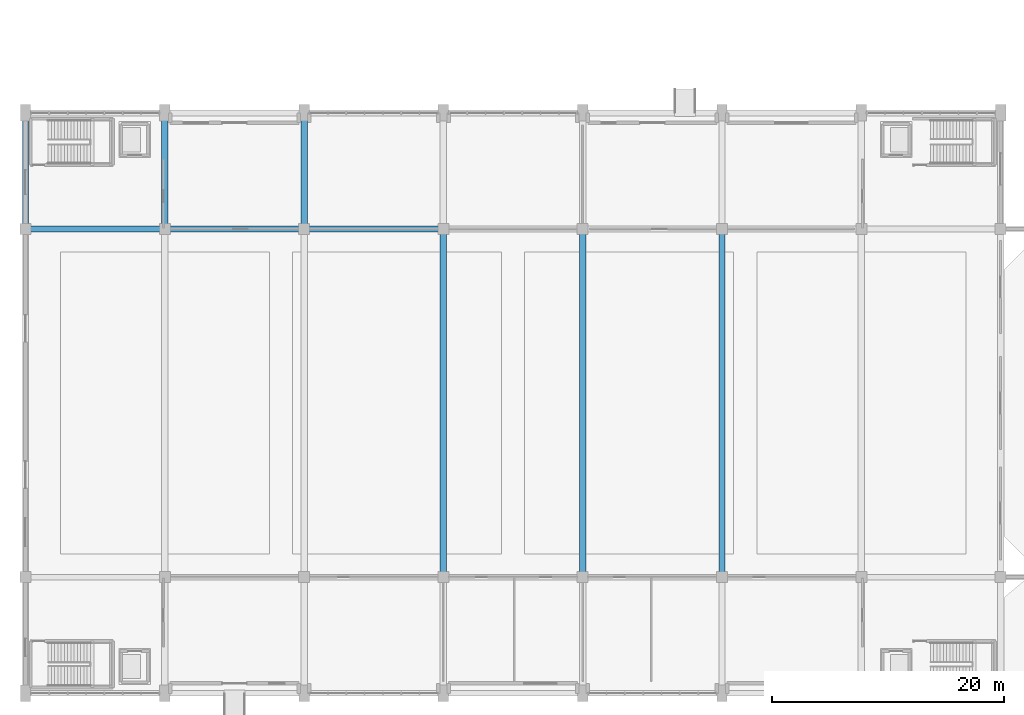
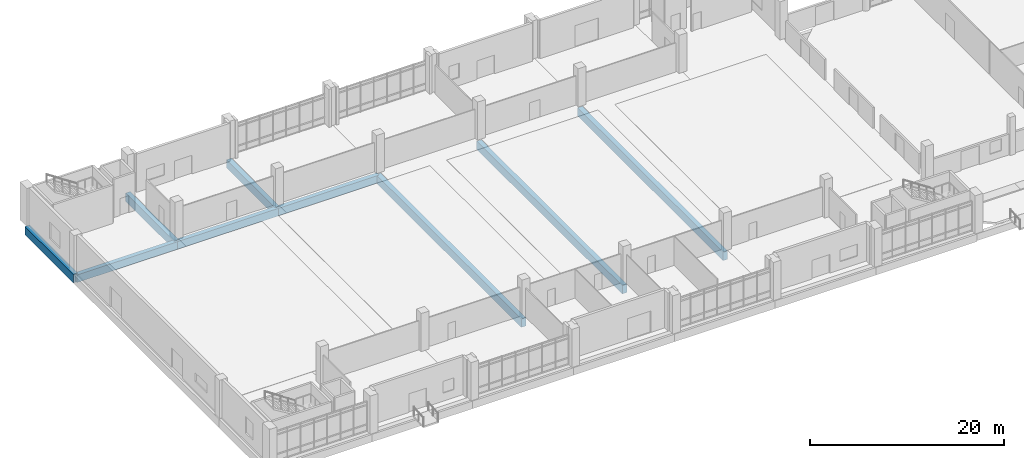
# One storey, part 13 of 87: 9 beams.
"""IFC4 building model written with IfcOpenShell, lengths in metres."""

from ifc_helpers import new_model, si_unit, direction, frame, origin, origin_2d, place, context, subcontext, project, spatial, rectangle, extrude, material, material_profile, profile_set, type_object, element, save


model = new_model("IFC4")

# Units and contexts
model_context = context("Model", 3, precision=1e-05, world=origin(), true_north=direction((0.0, 1.0)))
body_context = subcontext(model_context, "Body", "Model", "MODEL_VIEW")
ifc_project = project(units=[si_unit("LENGTHUNIT", "METRE"), si_unit("AREAUNIT", "SQUARE_METRE"), si_unit("VOLUMEUNIT", "CUBIC_METRE"), si_unit("PLANEANGLEUNIT", "RADIAN"), si_unit("MASSUNIT", "GRAM", prefix="KILO")], contexts=[model_context])

# Site, building, storey
site_placement = place(None, origin())
site = spatial("IfcSite", under=ifc_project, at=site_placement, CompositionType="ELEMENT")
building_placement = place(site_placement, origin())
building = spatial("IfcBuilding", under=site, at=building_placement, Name="Mersad Railyard Sports Hall", CompositionType="ELEMENT")
storey_placement = place(building_placement, origin())
storey = spatial("IfcBuildingStorey", under=building, at=storey_placement, Name="L00", CompositionType="ELEMENT", Elevation=0.0)

# Beams
ifc_material = material(Name="Concrete C50/60", Category="concrete")
ifc_material_profile_1 = material_profile(ifc_material, rectangle(XDim=0.5, YDim=0.949951171875, at=origin_2d()), Name="RC 500x950")
ifc_profile_set_1 = profile_set([ifc_material_profile_1], Name="Concrete C50/60")
beam_type_1 = type_object("IfcBeamType", Name="STR-BM-B03", PredefinedType="BEAM", material=ifc_profile_set_1)
for number, where, z_axis, x_axis, name in (
    (1, (7.0, 43.5, -0.925048828125), (1.0, 0.0, 0.0), (0.0, 1.0, 0.0), "Beam B03-0015"),
    (2, (19.0, 43.5, -0.925048828125), (1.0, 0.0, 0.0), (0.0, 1.0, 0.0), "Beam B03-0016"),
    (3, (31.0, 43.5, -0.925048828125), (1.0, 0.0, 0.0), (0.0, 1.0, 0.0), "Beam B03-0017"),
):
    element("IfcBeam", number, at=place(storey_placement, frame(where, z_axis=z_axis, x_axis=x_axis)), inside=storey, type_object=beam_type_1, Name=name, PredefinedType="BEAM", context=body_context, shape_type="SweptSolid", body=[
        extrude(rectangle(XDim=0.5, YDim=0.949951171875, at=origin_2d()), origin(), (0.0, 0.0, 1.0), 12.0),
    ])
ifc_material_profile_2 = material_profile(ifc_material, rectangle(XDim=0.550048828125, YDim=1.050048828125, at=origin_2d()), Name="RC 550x1050")
ifc_profile_set_2 = profile_set([ifc_material_profile_2], Name="Concrete C50/60")
beam_type_2 = type_object("IfcBeamType", Name="STR-BM-B04", PredefinedType="BEAM", material=ifc_profile_set_2)
for number, where, z_axis, x_axis, name in (
    (4, (7.0, 43.5, -0.97509765625), (0.0, 1.0, 0.0), (-1.0, 0.0, 0.0), "Beam B04-0031"),
    (5, (19.0, 43.5, -0.97509765625), (0.0, 1.0, 0.0), (-1.0, 0.0, 0.0), "Beam B04-0034"),
    (6, (31.0, 43.5, -0.97509765625), (0.0, 1.0, 0.0), (-1.0, 0.0, 0.0), "Beam B04-0037"),
):
    element("IfcBeam", number, at=place(storey_placement, frame(where, z_axis=z_axis, x_axis=x_axis)), inside=storey, type_object=beam_type_2, Name=name, PredefinedType="BEAM", context=body_context, shape_type="SweptSolid", body=[
        extrude(rectangle(XDim=0.550048828125, YDim=1.050048828125, at=origin_2d()), origin(), (0.0, 0.0, 1.0), 10.0),
    ])
for number, where, z_axis, x_axis, name in (
    (7, (43.0, 13.5, -0.97509765625), (0.0, 1.0, 0.0), (-1.0, 0.0, 0.0), "Beam B04-0039"),
    (8, (55.0, 13.5, -0.97509765625), (0.0, 1.0, 0.0), (-1.0, 0.0, 0.0), "Beam B04-0042"),
    (9, (67.0, 13.5, -0.97509765625), (0.0, 1.0, 0.0), (-1.0, 0.0, 0.0), "Beam B04-0045"),
):
    element("IfcBeam", number, at=place(storey_placement, frame(where, z_axis=z_axis, x_axis=x_axis)), inside=storey, type_object=beam_type_2, Name=name, PredefinedType="BEAM", context=body_context, shape_type="SweptSolid", body=[
        extrude(rectangle(XDim=0.550048828125, YDim=1.050048828125, at=origin_2d()), origin(), (0.0, 0.0, 1.0), 30.0),
    ])

save(model, "model.ifc")
